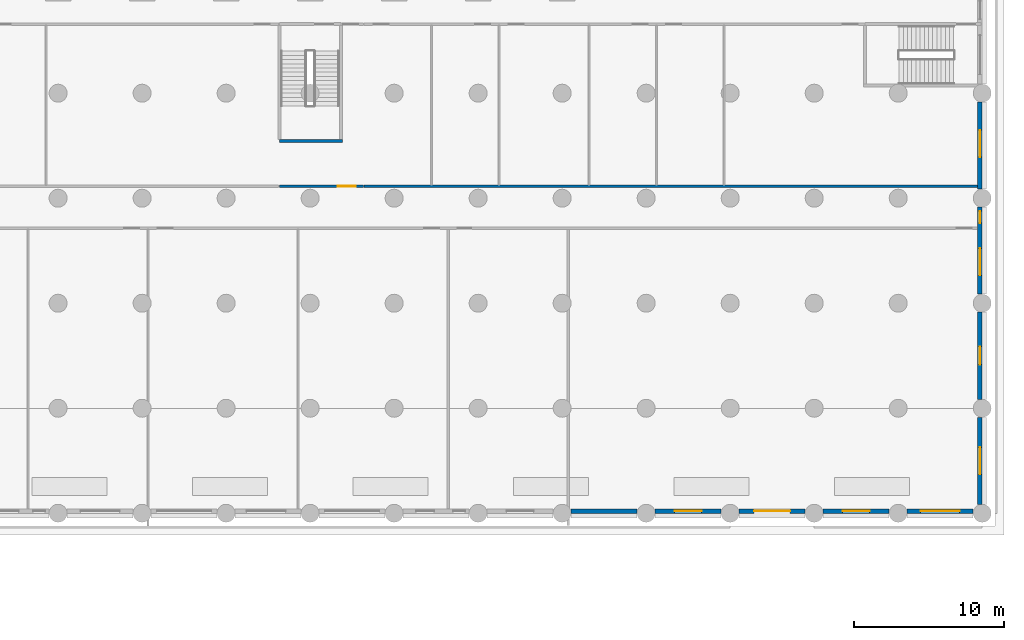
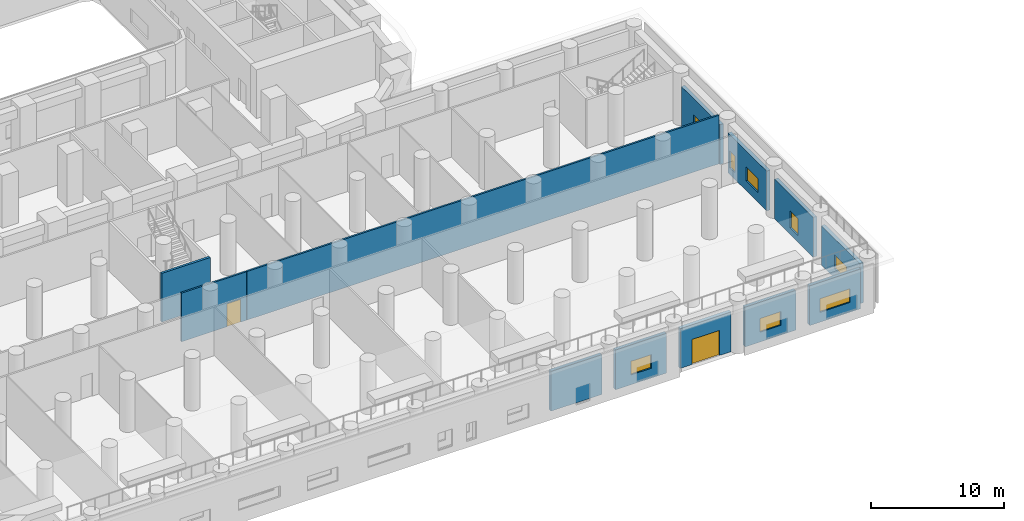
# One storey, part 9 of 27: 12 walls, 8 windows, 2 doors, 10 openings.
"""IFC4 building model written with IfcOpenShell, lengths in metres."""

from ifc_helpers import new_model, si_unit, direction, frame, frame_2d, origin, place, context, subcontext, project, spatial, rectangle, extrude, material, layer, layer_set, type_object, element, fill, save


model = new_model("IFC4")

# Units and contexts
model_context = context("Model", 3, precision=1e-05, world=origin(), true_north=direction((0.0, 1.0)))
body_context = subcontext(model_context, "Body", "Model", "MODEL_VIEW")
ifc_project = project(units=[si_unit("LENGTHUNIT", "METRE"), si_unit("AREAUNIT", "SQUARE_METRE"), si_unit("VOLUMEUNIT", "CUBIC_METRE"), si_unit("PLANEANGLEUNIT", "RADIAN"), si_unit("MASSUNIT", "GRAM", prefix="KILO")], contexts=[model_context])

# Site, building, storey
site_placement = place(None, origin())
site = spatial("IfcSite", under=ifc_project, at=site_placement, CompositionType="ELEMENT")
building_placement = place(site_placement, origin())
building = spatial("IfcBuilding", under=site, at=building_placement, Name="Kiln Ring Residences", CompositionType="ELEMENT")
storey_placement = place(building_placement, frame((0.0, 0.0, 6.5)))
storey = spatial("IfcBuildingStorey", under=building, at=storey_placement, Name="L01", CompositionType="ELEMENT", Elevation=6.5)

# Wall, opening, window
ifc_material_1 = material(Name="Brick masonry, dark clay brick", Category="masonry")
ifc_layer_1 = layer(ifc_material_1, 0.300048828125)
ifc_layer_set_1 = layer_set([ifc_layer_1], Name="EW-300 BRICK WALL")
wall_type_1 = type_object("IfcWallType", Name="EW-300 BRICK WALL", PredefinedType="SOLIDWALL", material=ifc_layer_set_1)
wall_1_placement = place(storey_placement, frame((44.64990234375, -56.800048828125, 0.0), z_axis=(0.0, 0.0, 1.0), x_axis=(0.0, 1.0, 0.0)))
wall_1 = element("IfcWall", 1, at=wall_1_placement, inside=storey, type_object=wall_type_1, Name="Facade wall L01 1", PredefinedType="SOLIDWALL", context=body_context, shape_type="SweptSolid", body=[
    extrude(rectangle(XDim=5.800048828125, YDim=0.300048828125, at=frame_2d((2.89990234375, 0.0))), origin(), (0.0, 0.0, 1.0), 3.64990234375),
])
opening_1_placement = place(wall_1_placement, frame((2.0, 0.0, 0.89990234375)))
opening_1 = element("IfcOpeningElement", 2, at=opening_1_placement, cuts=wall_1, Name="Opening W2", PredefinedType="OPENING", context=body_context, shape_type="SweptSolid", body=[
    extrude(rectangle(XDim=1.800048828125, YDim=1.25, at=frame_2d((0.89990234375, 0.625))), frame((0.0, 0.159912109375, 0.0), z_axis=(0.0, -1.0, 0.0), x_axis=(1.0, 0.0, 0.0)), (0.0, 0.0, 1.0), 0.320068359375),
])
ifc_material_2 = material(Name="Aluminium frame with double glazing", Category="aluminium")
window_type_1 = type_object("IfcWindowType", Name="WINDOW 1800 x 1250", PartitioningType="SINGLE_PANEL", PredefinedType="WINDOW", material=ifc_material_2)
window_1_placement = place(opening_1_placement, origin())
window_1 = element("IfcWindow", 3, at=window_1_placement, inside=storey, type_object=window_type_1, Name="Window L01 1", OverallHeight=1.25, OverallWidth=1.800048828125, PartitioningType="SINGLE_PANEL", PredefinedType="WINDOW", context=body_context, shape_type="SweptSolid", body=[
    extrude(rectangle(XDim=1.800048828125, YDim=1.25, at=frame_2d((0.89990234375, 0.625))), frame((0.0, 0.030029296875, 0.0), z_axis=(0.0, -1.0, 0.0), x_axis=(1.0, 0.0, 0.0)), (0.0, 0.0, 1.0), 0.06005859375),
])
fill(opening_1, window_1)

wall_2_placement = place(storey_placement, frame((44.64990234375, -49.800048828125, 0.0), z_axis=(0.0, 0.0, 1.0), x_axis=(0.0, 1.0, 0.0)))
wall_2 = element("IfcWall", 4, at=wall_2_placement, inside=storey, type_object=wall_type_1, Name="Facade wall L01 2", PredefinedType="SOLIDWALL", context=body_context, shape_type="SweptSolid", body=[
    extrude(rectangle(XDim=5.800048828125, YDim=0.300048828125, at=frame_2d((2.89990234375, 0.0))), origin(), (0.0, 0.0, 1.0), 3.64990234375),
])
opening_2_placement = place(wall_2_placement, frame((2.300048828125, 0.0, 0.60009765625)))
opening_2 = element("IfcOpeningElement", 5, at=opening_2_placement, cuts=wall_2, Name="Opening W1", PredefinedType="OPENING", context=body_context, shape_type="SweptSolid", body=[
    extrude(rectangle(XDim=1.199951171875, YDim=1.550048828125, at=frame_2d((0.60009765625, 0.77490234375))), frame((0.0, 0.159912109375, 0.0), z_axis=(0.0, -1.0, 0.0), x_axis=(1.0, 0.0, 0.0)), (0.0, 0.0, 1.0), 0.320068359375),
])
ifc_material_3 = material(Name="Aluminium frame with double glazing", Category="aluminium")
window_type_2 = type_object("IfcWindowType", Name="WINDOW 1200 x 1550", PartitioningType="SINGLE_PANEL", PredefinedType="WINDOW", material=ifc_material_3)
window_2_placement = place(opening_2_placement, origin())
window_2 = element("IfcWindow", 6, at=window_2_placement, inside=storey, type_object=window_type_2, Name="Window L01 2", OverallHeight=1.550048828125, OverallWidth=1.199951171875, PartitioningType="SINGLE_PANEL", PredefinedType="WINDOW", context=body_context, shape_type="SweptSolid", body=[
    extrude(rectangle(XDim=1.199951171875, YDim=1.550048828125, at=frame_2d((0.60009765625, 0.77490234375))), frame((0.0, 0.030029296875, 0.0), z_axis=(0.0, -1.0, 0.0), x_axis=(1.0, 0.0, 0.0)), (0.0, 0.0, 1.0), 0.06005859375),
])
fill(opening_2, window_2)

# Wall, openings, windows
wall_3_placement = place(storey_placement, frame((44.64990234375, -42.800048828125, 0.0), z_axis=(0.0, 0.0, 1.0), x_axis=(0.0, 1.0, 0.0)))
wall_3 = element("IfcWall", 7, at=wall_3_placement, inside=storey, type_object=wall_type_1, Name="Facade wall L01 3", PredefinedType="SOLIDWALL", context=body_context, shape_type="SweptSolid", body=[
    extrude(rectangle(XDim=5.800048828125, YDim=0.300048828125, at=frame_2d((2.89990234375, 0.0))), origin(), (0.0, 0.0, 1.0), 3.64990234375),
])
opening_3_placement = place(wall_3_placement, frame((1.262451171875, 0.0, 0.89990234375)))
opening_3 = element("IfcOpeningElement", 8, at=opening_3_placement, cuts=wall_3, Name="Opening W2", PredefinedType="OPENING", context=body_context, shape_type="SweptSolid", body=[
    extrude(rectangle(XDim=1.800048828125, YDim=1.25, at=frame_2d((0.89990234375, 0.625))), frame((0.0, 0.159912109375, 0.0), z_axis=(0.0, -1.0, 0.0), x_axis=(1.0, 0.0, 0.0)), (0.0, 0.0, 1.0), 0.320068359375),
])
opening_4_placement = place(wall_3_placement, frame((4.737548828125, 0.0, 0.60009765625)))
opening_4 = element("IfcOpeningElement", 9, at=opening_4_placement, cuts=wall_3, Name="Opening W5", PredefinedType="OPENING", context=body_context, shape_type="SweptSolid", body=[
    extrude(rectangle(XDim=0.800048828125, YDim=1.550048828125, at=frame_2d((0.39990234375, 0.77490234375))), frame((0.0, 0.159912109375, 0.0), z_axis=(0.0, -1.0, 0.0), x_axis=(1.0, 0.0, 0.0)), (0.0, 0.0, 1.0), 0.320068359375),
])
window_3_placement = place(opening_3_placement, origin())
window_3 = element("IfcWindow", 10, at=window_3_placement, inside=storey, type_object=window_type_1, Name="Window L01 3", OverallHeight=1.25, OverallWidth=1.800048828125, PartitioningType="SINGLE_PANEL", PredefinedType="WINDOW", context=body_context, shape_type="SweptSolid", body=[
    extrude(rectangle(XDim=1.800048828125, YDim=1.25, at=frame_2d((0.89990234375, 0.625))), frame((0.0, 0.030029296875, 0.0), z_axis=(0.0, -1.0, 0.0), x_axis=(1.0, 0.0, 0.0)), (0.0, 0.0, 1.0), 0.06005859375),
])
fill(opening_3, window_3)
ifc_material_4 = material(Name="Aluminium frame with double glazing", Category="aluminium")
window_type_3 = type_object("IfcWindowType", Name="WINDOW 800 x 1550", PartitioningType="SINGLE_PANEL", PredefinedType="WINDOW", material=ifc_material_4)
window_4_placement = place(opening_4_placement, origin())
window_4 = element("IfcWindow", 11, at=window_4_placement, inside=storey, type_object=window_type_3, Name="Window L01 4", OverallHeight=1.550048828125, OverallWidth=0.800048828125, PartitioningType="SINGLE_PANEL", PredefinedType="WINDOW", context=body_context, shape_type="SweptSolid", body=[
    extrude(rectangle(XDim=0.800048828125, YDim=1.550048828125, at=frame_2d((0.39990234375, 0.77490234375))), frame((0.0, 0.030029296875, 0.0), z_axis=(0.0, -1.0, 0.0), x_axis=(1.0, 0.0, 0.0)), (0.0, 0.0, 1.0), 0.06005859375),
])
fill(opening_4, window_4)

# Wall, opening, window
wall_4_placement = place(storey_placement, frame((44.64990234375, -35.800048828125, 0.0), z_axis=(0.0, 0.0, 1.0), x_axis=(0.0, 1.0, 0.0)))
wall_4 = element("IfcWall", 12, at=wall_4_placement, inside=storey, type_object=wall_type_1, Name="Facade wall L01 4", PredefinedType="SOLIDWALL", context=body_context, shape_type="SweptSolid", body=[
    extrude(rectangle(XDim=5.800048828125, YDim=0.300048828125, at=frame_2d((2.89990234375, 0.0))), origin(), (0.0, 0.0, 1.0), 3.64990234375),
])
opening_5_placement = place(wall_4_placement, frame((2.137451171875, 0.0, 0.89990234375)))
opening_5 = element("IfcOpeningElement", 13, at=opening_5_placement, cuts=wall_4, Name="Opening W2", PredefinedType="OPENING", context=body_context, shape_type="SweptSolid", body=[
    extrude(rectangle(XDim=1.800048828125, YDim=1.25, at=frame_2d((0.89990234375, 0.625))), frame((0.0, 0.159912109375, 0.0), z_axis=(0.0, -1.0, 0.0), x_axis=(1.0, 0.0, 0.0)), (0.0, 0.0, 1.0), 0.320068359375),
])
window_5_placement = place(opening_5_placement, origin())
window_5 = element("IfcWindow", 14, at=window_5_placement, inside=storey, type_object=window_type_1, Name="Window L01 5", OverallHeight=1.25, OverallWidth=1.800048828125, PartitioningType="SINGLE_PANEL", PredefinedType="WINDOW", context=body_context, shape_type="SweptSolid", body=[
    extrude(rectangle(XDim=1.800048828125, YDim=1.25, at=frame_2d((0.89990234375, 0.625))), frame((0.0, 0.030029296875, 0.0), z_axis=(0.0, -1.0, 0.0), x_axis=(1.0, 0.0, 0.0)), (0.0, 0.0, 1.0), 0.06005859375),
])
fill(opening_5, window_5)

# Wall
wall_5_placement = place(storey_placement, frame((17.39990234375, -57.25, 0.0), z_axis=(0.0, 0.0, 1.0), x_axis=(1.0, 0.0, 0.0)))
element("IfcWall", 15, at=wall_5_placement, inside=storey, type_object=wall_type_1, Name="Facade wall L01 72", PredefinedType="SOLIDWALL", context=body_context, shape_type="SweptSolid", body=[
    extrude(rectangle(XDim=4.400146484375, YDim=0.300048828125, at=frame_2d((2.2001953125, 0.0))), origin(), (0.0, 0.0, 1.0), 3.64990234375),
])

# Wall, opening, window
wall_6_placement = place(storey_placement, frame((23.0, -57.25, 0.0), z_axis=(0.0, 0.0, 1.0), x_axis=(1.0, 0.0, 0.0)))
wall_6 = element("IfcWall", 16, at=wall_6_placement, inside=storey, type_object=wall_type_1, Name="Facade wall L01 73", PredefinedType="SOLIDWALL", context=body_context, shape_type="SweptSolid", body=[
    extrude(rectangle(XDim=4.39990234375, YDim=0.300048828125, at=frame_2d((2.199951171875, 0.0))), origin(), (0.0, 0.0, 1.0), 3.64990234375),
])
opening_6_placement = place(wall_6_placement, frame((1.300048828125, 0.0, 0.89990234375)))
opening_6 = element("IfcOpeningElement", 17, at=opening_6_placement, cuts=wall_6, Name="Opening W2", PredefinedType="OPENING", context=body_context, shape_type="SweptSolid", body=[
    extrude(rectangle(XDim=1.800048828125, YDim=1.25, at=frame_2d((0.89990234375, 0.625))), frame((0.0, 0.159912109375, 0.0), z_axis=(0.0, -1.0, 0.0), x_axis=(1.0, 0.0, 0.0)), (0.0, 0.0, 1.0), 0.320068359375),
])
window_6_placement = place(opening_6_placement, origin())
window_6 = element("IfcWindow", 18, at=window_6_placement, inside=storey, type_object=window_type_1, Name="Window L01 46", OverallHeight=1.25, OverallWidth=1.800048828125, PartitioningType="SINGLE_PANEL", PredefinedType="WINDOW", context=body_context, shape_type="SweptSolid", body=[
    extrude(rectangle(XDim=1.800048828125, YDim=1.25, at=frame_2d((0.89990234375, 0.625))), frame((0.0, 0.030029296875, 0.0), z_axis=(0.0, -1.0, 0.0), x_axis=(1.0, 0.0, 0.0)), (0.0, 0.0, 1.0), 0.06005859375),
])
fill(opening_6, window_6)

# Wall, opening, door
wall_7_placement = place(storey_placement, frame((28.60009765625, -57.25, 0.0), z_axis=(0.0, 0.0, 1.0), x_axis=(1.0, 0.0, 0.0)))
wall_7 = element("IfcWall", 19, at=wall_7_placement, inside=storey, type_object=wall_type_1, Name="Facade wall L01 74", PredefinedType="SOLIDWALL", context=body_context, shape_type="SweptSolid", body=[
    extrude(rectangle(XDim=4.39990234375, YDim=0.300048828125, at=frame_2d((2.199951171875, 0.0))), origin(), (0.0, 0.0, 1.0), 3.64990234375),
])
opening_7_placement = place(wall_7_placement, frame((1.0, 0.0, 0.0)))
opening_7 = element("IfcOpeningElement", 20, at=opening_7_placement, cuts=wall_7, Name="Opening EL01-2", PredefinedType="OPENING", context=body_context, shape_type="SweptSolid", body=[
    extrude(rectangle(XDim=2.39990234375, YDim=2.300048828125, at=frame_2d((1.199951171875, 1.14990234375))), frame((0.0, 0.159912109375, 0.0), z_axis=(0.0, -1.0, 0.0), x_axis=(1.0, 0.0, 0.0)), (0.0, 0.0, 1.0), 0.320068359375),
])
ifc_material_5 = material(Name="Aluminium and glass", Category="aluminium")
door_type_1 = type_object("IfcDoorType", Name="TERRACE DOOR 2400 x 2300", OperationType="DOUBLE_DOOR_SINGLE_SWING", PredefinedType="DOOR", material=ifc_material_5)
door_1_placement = place(opening_7_placement, origin())
door_1 = element("IfcDoor", 21, at=door_1_placement, inside=storey, type_object=door_type_1, Name="Terrace door EL01-2", OperationType="SINGLE_SWING_LEFT", OverallHeight=2.300048828125, OverallWidth=2.39990234375, PredefinedType="DOOR", context=body_context, shape_type="SweptSolid", body=[
    extrude(rectangle(XDim=2.39990234375, YDim=2.300048828125, at=frame_2d((1.199951171875, 1.14990234375))), frame((0.0, 0.02490234375, 0.0), z_axis=(0.0, -1.0, 0.0), x_axis=(1.0, 0.0, 0.0)), (0.0, 0.0, 1.0), 0.050048828125),
])
fill(opening_7, door_1)

# Wall, opening, window
wall_8_placement = place(storey_placement, frame((34.199951171875, -57.25, 0.0), z_axis=(0.0, 0.0, 1.0), x_axis=(1.0, 0.0, 0.0)))
wall_8 = element("IfcWall", 22, at=wall_8_placement, inside=storey, type_object=wall_type_1, Name="Facade wall L01 75", PredefinedType="SOLIDWALL", context=body_context, shape_type="SweptSolid", body=[
    extrude(rectangle(XDim=4.400146484375, YDim=0.300048828125, at=frame_2d((2.2001953125, 0.0))), origin(), (0.0, 0.0, 1.0), 3.64990234375),
])
opening_8_placement = place(wall_8_placement, frame((1.300048828125, 0.0, 0.89990234375)))
opening_8 = element("IfcOpeningElement", 23, at=opening_8_placement, cuts=wall_8, Name="Opening W2", PredefinedType="OPENING", context=body_context, shape_type="SweptSolid", body=[
    extrude(rectangle(XDim=1.800048828125, YDim=1.25, at=frame_2d((0.89990234375, 0.625))), frame((0.0, 0.159912109375, 0.0), z_axis=(0.0, -1.0, 0.0), x_axis=(1.0, 0.0, 0.0)), (0.0, 0.0, 1.0), 0.320068359375),
])
window_7_placement = place(opening_8_placement, origin())
window_7 = element("IfcWindow", 24, at=window_7_placement, inside=storey, type_object=window_type_1, Name="Window L01 47", OverallHeight=1.25, OverallWidth=1.800048828125, PartitioningType="SINGLE_PANEL", PredefinedType="WINDOW", context=body_context, shape_type="SweptSolid", body=[
    extrude(rectangle(XDim=1.800048828125, YDim=1.25, at=frame_2d((0.89990234375, 0.625))), frame((0.0, 0.030029296875, 0.0), z_axis=(0.0, -1.0, 0.0), x_axis=(1.0, 0.0, 0.0)), (0.0, 0.0, 1.0), 0.06005859375),
])
fill(opening_8, window_7)

wall_9_placement = place(storey_placement, frame((39.800048828125, -57.25, 0.0), z_axis=(0.0, 0.0, 1.0), x_axis=(1.0, 0.0, 0.0)))
wall_9 = element("IfcWall", 25, at=wall_9_placement, inside=storey, type_object=wall_type_1, Name="Facade wall L01 76", PredefinedType="SOLIDWALL", context=body_context, shape_type="SweptSolid", body=[
    extrude(rectangle(XDim=4.39990234375, YDim=0.300048828125, at=frame_2d((2.199951171875, 0.0))), origin(), (0.0, 0.0, 1.0), 3.64990234375),
])
opening_9_placement = place(wall_9_placement, frame((0.89990234375, 0.0, 0.89990234375)))
opening_9 = element("IfcOpeningElement", 26, at=opening_9_placement, cuts=wall_9, Name="Opening W3", PredefinedType="OPENING", context=body_context, shape_type="SweptSolid", body=[
    extrude(rectangle(XDim=2.60009765625, YDim=1.25, at=frame_2d((1.300048828125, 0.625))), frame((0.0, 0.159912109375, 0.0), z_axis=(0.0, -1.0, 0.0), x_axis=(1.0, 0.0, 0.0)), (0.0, 0.0, 1.0), 0.320068359375),
])
ifc_material_6 = material(Name="Aluminium frame with double glazing", Category="aluminium")
window_type_4 = type_object("IfcWindowType", Name="WINDOW 2600 x 1250", PartitioningType="SINGLE_PANEL", PredefinedType="WINDOW", material=ifc_material_6)
window_8_placement = place(opening_9_placement, origin())
window_8 = element("IfcWindow", 27, at=window_8_placement, inside=storey, type_object=window_type_4, Name="Window L01 48", OverallHeight=1.25, OverallWidth=2.60009765625, PartitioningType="SINGLE_PANEL", PredefinedType="WINDOW", context=body_context, shape_type="SweptSolid", body=[
    extrude(rectangle(XDim=2.60009765625, YDim=1.25, at=frame_2d((1.300048828125, 0.625))), frame((0.0, 0.030029296875, 0.0), z_axis=(0.0, -1.0, 0.0), x_axis=(1.0, 0.0, 0.0)), (0.0, 0.0, 1.0), 0.06005859375),
])
fill(opening_9, window_8)

# Wall, opening, door
ifc_material_7 = material(Name="Brick masonry partition", Category="masonry")
ifc_layer_2 = layer(ifc_material_7, 0.14990234375)
ifc_layer_set_2 = layer_set([ifc_layer_2], Name="PARTITION-150-ei60")
wall_type_2 = type_object("IfcWallType", Name="PARTITION-150-ei60", PredefinedType="PARTITIONING", material=ifc_layer_set_2)
wall_10_placement = place(storey_placement, frame((-2.050048828125, -35.60009765625, 0.0), z_axis=(0.0, 0.0, 1.0), x_axis=(1.0, 0.0, 0.0)))
wall_10 = element("IfcWall", 28, at=wall_10_placement, inside=storey, type_object=wall_type_2, Name="Partition 002", PredefinedType="PARTITIONING", context=body_context, shape_type="SweptSolid", body=[
    extrude(rectangle(XDim=5.60009765625, YDim=0.14990234375, at=frame_2d((2.800048828125, 0.0))), origin(), (0.0, 0.0, 1.0), 4.449951171875),
])
opening_10_placement = place(wall_10_placement, frame((3.89990234375, 0.0, 0.0)))
opening_10 = element("IfcOpeningElement", 29, at=opening_10_placement, cuts=wall_10, Name="Opening L01-D010", PredefinedType="OPENING", context=body_context, shape_type="SweptSolid", body=[
    extrude(rectangle(XDim=1.199951171875, YDim=2.10009765625, at=frame_2d((0.60009765625, 1.050048828125))), frame((0.0, 0.0849609375, 0.0), z_axis=(0.0, -1.0, 0.0), x_axis=(1.0, 0.0, 0.0)), (0.0, 0.0, 1.0), 0.169921875),
])
ifc_material_8 = material(Name="Steel faced fire door leaf", Category="steel")
door_type_2 = type_object("IfcDoorType", Name="FLAT-DOOR-1200-FR", OperationType="SINGLE_SWING_LEFT", PredefinedType="DOOR", material=ifc_material_8)
door_2_placement = place(opening_10_placement, origin())
door_2 = element("IfcDoor", 30, at=door_2_placement, inside=storey, type_object=door_type_2, Name="Door L01-D010", OperationType="SINGLE_SWING_RIGHT", OverallHeight=2.10009765625, OverallWidth=1.199951171875, PredefinedType="DOOR", context=body_context, shape_type="SweptSolid", body=[
    extrude(rectangle(XDim=1.199951171875, YDim=2.10009765625, at=frame_2d((0.60009765625, 1.050048828125))), frame((0.0, 0.02490234375, 0.0), z_axis=(0.0, -1.0, 0.0), x_axis=(1.0, 0.0, 0.0)), (0.0, 0.0, 1.0), 0.050048828125),
])
fill(opening_10, door_2)

# Walls
wall_11_placement = place(storey_placement, frame((3.60009765625, -35.60009765625, 0.0), z_axis=(0.0, 0.0, 1.0), x_axis=(1.0, 0.0, 0.0)))
element("IfcWall", 31, at=wall_11_placement, inside=storey, type_object=wall_type_2, Name="Partition 003", PredefinedType="PARTITIONING", context=body_context, shape_type="SweptSolid", body=[
    extrude(rectangle(XDim=40.8798828125, YDim=0.14990234375, at=frame_2d((20.43994140625, 0.0))), origin(), (0.0, 0.0, 1.0), 4.449951171875),
])
ifc_material_9 = material(Name="Concrete C40/50", Category="concrete")
ifc_layer_3 = layer(ifc_material_9, 0.199951171875)
ifc_layer_set_3 = layer_set([ifc_layer_3], Name="PODIUM-STAIR-WALL-200")
wall_type_3 = type_object("IfcWallType", Name="PODIUM-STAIR-WALL-200", PredefinedType="SHEAR", material=ifc_layer_set_3)
wall_12_placement = place(storey_placement, frame((-2.050048828125, -32.60009765625, 0.0), z_axis=(0.0, 0.0, 1.0), x_axis=(1.0, 0.0, 0.0)))
element("IfcWall", 32, at=wall_12_placement, inside=storey, type_object=wall_type_3, Name="Stair wall 004", PredefinedType="SHEAR", context=body_context, shape_type="SweptSolid", body=[
    extrude(rectangle(XDim=4.199951171875, YDim=0.199951171875, at=frame_2d((2.10009765625, 0.0))), origin(), (0.0, 0.0, 1.0), 4.449951171875),
])

save(model, "model.ifc")
